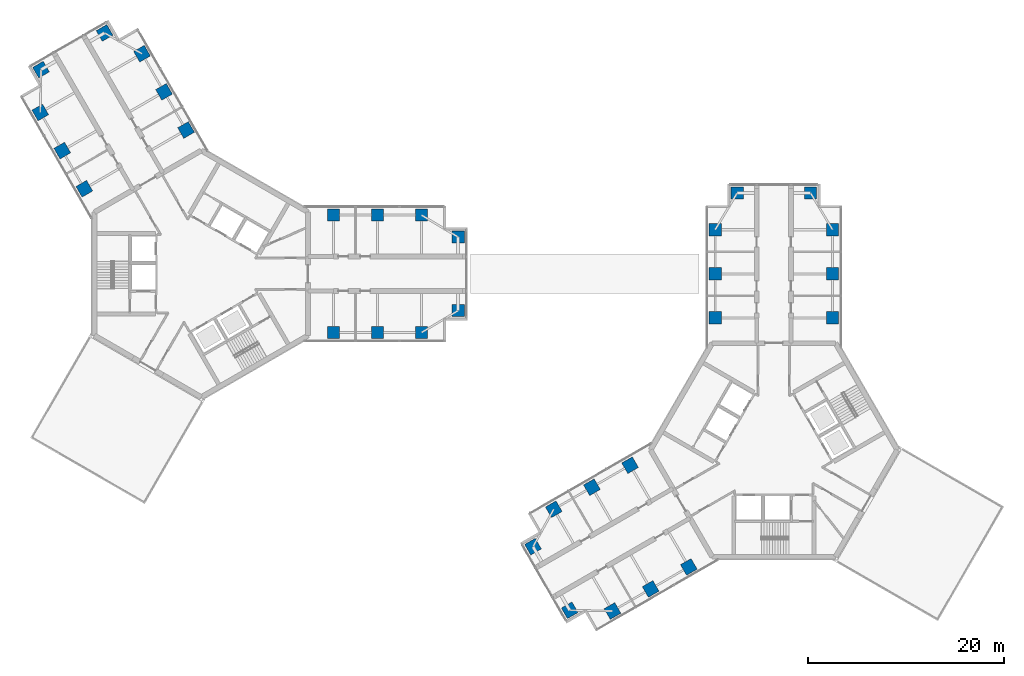
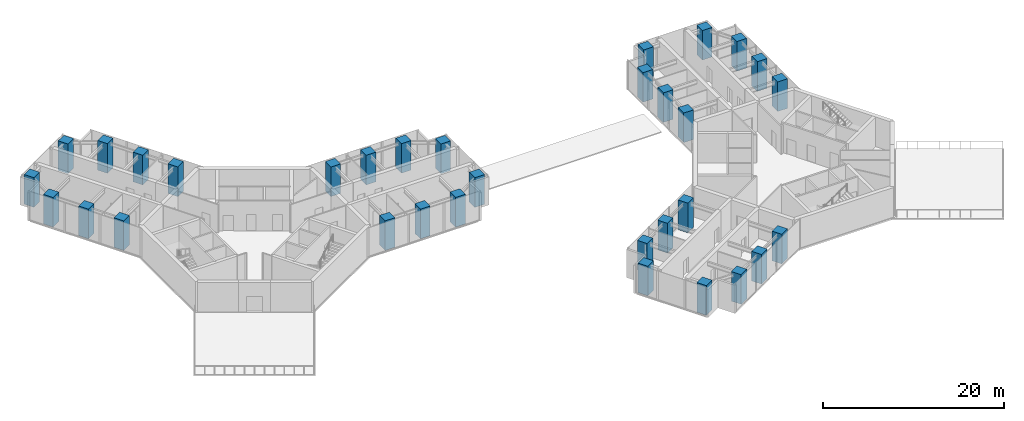
# One storey, part 1 of 18: 32 columns.
"""IFC4 building model written with IfcOpenShell, lengths in metres."""

from ifc_helpers import new_model, si_unit, direction, frame, origin, origin_2d, place, context, subcontext, project, spatial, rectangle, extrude, material, material_profile, profile_set, type_object, element, save


model = new_model("IFC4")

# Units and contexts
model_context = context("Model", 3, precision=1e-05, world=origin(), true_north=direction((0.0, 1.0)))
body_context = subcontext(model_context, "Body", "Model", "MODEL_VIEW")
ifc_project = project(units=[si_unit("LENGTHUNIT", "METRE"), si_unit("AREAUNIT", "SQUARE_METRE"), si_unit("VOLUMEUNIT", "CUBIC_METRE"), si_unit("PLANEANGLEUNIT", "RADIAN"), si_unit("MASSUNIT", "GRAM", prefix="KILO")], contexts=[model_context])

# Site, building, storey
site_placement = place(None, origin())
site = spatial("IfcSite", under=ifc_project, at=site_placement, CompositionType="ELEMENT")
building_placement = place(site_placement, origin())
building = spatial("IfcBuilding", under=site, at=building_placement, Name="Upepo Twin Towers", CompositionType="ELEMENT")
storey_placement = place(building_placement, frame((0.0, 0.0, 170.5)))
storey = spatial("IfcBuildingStorey", under=building, at=storey_placement, Name="L41", CompositionType="ELEMENT", Elevation=170.5)

# Columns
ifc_material = material(Name="Concrete C60/75", Category="concrete")
ifc_material_profile = material_profile(ifc_material, rectangle(XDim=1.25, YDim=1.25, at=origin_2d()), Name="RC 1250x1250")
ifc_profile_set = profile_set([ifc_material_profile], Name="Concrete C60/75")
column_type = type_object("IfcColumnType", Name="Tower column RC 1250x1250", PredefinedType="COLUMN", material=ifc_profile_set)
for number, where, z_axis, x_axis, name in (
    (1, (13.5, 6.0, 0.0), (0.0, 0.0, 1.0), (1.0, 0.0, 0.0), "T1 column AL135"),
    (2, (13.5, -6.0, 0.0), (0.0, 0.0, 1.0), (1.0, 0.0, 0.0), "T1 column AR135"),
    (3, (18.0, 6.0, 0.0), (0.0, 0.0, 1.0), (1.0, 0.0, 0.0), "T1 column AL180"),
    (4, (18.0, -6.0, 0.0), (0.0, 0.0, 1.0), (1.0, 0.0, 0.0), "T1 column AR180"),
    (5, (22.5, 6.0, 0.0), (0.0, 0.0, 1.0), (1.0, 0.0, 0.0), "T1 column AL225"),
    (6, (22.5, -6.0, 0.0), (0.0, 0.0, 1.0), (1.0, 0.0, 0.0), "T1 column AR225"),
    (7, (26.25, 3.75, 0.0), (0.0, 0.0, 1.0), (1.0, 0.0, 0.0), "T1 column ALN"),
    (8, (26.25, -3.75, 0.0), (0.0, 0.0, 1.0), (1.0, 0.0, 0.0), "T1 column ARN"),
    (9, (-11.946044921875, 8.69140625, 0.0), (0.0, 0.0, 1.0), (0.866025403784, 0.5, 0.0), "T1 column BL135"),
    (10, (-1.553955078125, 14.69140625, 0.0), (0.0, 0.0, 1.0), (0.866025403784, 0.5, 0.0), "T1 column BR135"),
    (11, (-14.196044921875, 12.58837890625, 0.0), (0.0, 0.0, 1.0), (0.866025403784, 0.5, 0.0), "T1 column BL180"),
    (12, (-3.803955078125, 18.58837890625, 0.0), (0.0, 0.0, 1.0), (0.866025403784, 0.5, 0.0), "T1 column BR180"),
    (13, (-16.446044921875, 16.485595703125, 0.0), (0.0, 0.0, 1.0), (0.866025403784, 0.5, 0.0), "T1 column BL225"),
    (14, (-6.053955078125, 22.485595703125, 0.0), (0.0, 0.0, 1.0), (0.866025403784, 0.5, 0.0), "T1 column BR225"),
    (15, (-16.37255859375, 20.858154296875, 0.0), (0.0, 0.0, 1.0), (0.866025403784, 0.5, 0.0), "T1 column BLN"),
    (16, (-9.87744140625, 24.608154296875, 0.0), (0.0, 0.0, 1.0), (0.866025403784, 0.5, 0.0), "T1 column BRN"),
    (17, (52.5, -4.5, 0.0), (0.0, 0.0, 1.0), (1.0, 0.0, 0.0), "T2 column AL135"),
    (18, (64.5, -4.5, 0.0), (0.0, 0.0, 1.0), (1.0, 0.0, 0.0), "T2 column AR135"),
    (19, (52.5, 0.0, 0.0), (0.0, 0.0, 1.0), (1.0, 0.0, 0.0), "T2 column AL180"),
    (20, (64.5, 0.0, 0.0), (0.0, 0.0, 1.0), (1.0, 0.0, 0.0), "T2 column AR180"),
    (21, (52.5, 4.5, 0.0), (0.0, 0.0, 1.0), (1.0, 0.0, 0.0), "T2 column AL225"),
    (22, (64.5, 4.5, 0.0), (0.0, 0.0, 1.0), (1.0, 0.0, 0.0), "T2 column AR225"),
    (23, (54.75, 8.25, 0.0), (0.0, 0.0, 1.0), (1.0, 0.0, 0.0), "T2 column ALN"),
    (24, (62.25, 8.25, 0.0), (0.0, 0.0, 1.0), (1.0, 0.0, 0.0), "T2 column ARN"),
    (25, (49.80859375, -29.946044921875, 0.0), (0.0, 0.0, 1.0), (0.866025403784, 0.5, 0.0), "T2 column BL135"),
    (26, (43.80859375, -19.553955078125, 0.0), (0.0, 0.0, 1.0), (0.866025403784, 0.5, 0.0), "T2 column BR135"),
    (27, (45.91162109375, -32.196044921875, 0.0), (0.0, 0.0, 1.0), (0.866025403784, 0.5, 0.0), "T2 column BL180"),
    (28, (39.91162109375, -21.803955078125, 0.0), (0.0, 0.0, 1.0), (0.866025403784, 0.5, 0.0), "T2 column BR180"),
    (29, (42.014404296875, -34.446044921875, 0.0), (0.0, 0.0, 1.0), (0.866025403784, 0.5, 0.0), "T2 column BL225"),
    (30, (36.014404296875, -24.053955078125, 0.0), (0.0, 0.0, 1.0), (0.866025403784, 0.5, 0.0), "T2 column BR225"),
    (31, (37.641845703125, -34.37255859375, 0.0), (0.0, 0.0, 1.0), (0.866025403784, 0.5, 0.0), "T2 column BLN"),
    (32, (33.891845703125, -27.87744140625, 0.0), (0.0, 0.0, 1.0), (0.866025403784, 0.5, 0.0), "T2 column BRN"),
):
    element("IfcColumn", number, at=place(storey_placement, frame(where, z_axis=z_axis, x_axis=x_axis)), inside=storey, type_object=column_type, Name=name, PredefinedType="COLUMN", context=body_context, shape_type="SweptSolid", body=[
        extrude(rectangle(XDim=1.25, YDim=1.25, at=origin_2d()), origin(), (0.0, 0.0, 1.0), 4.0),
    ])

save(model, "model.ifc")
